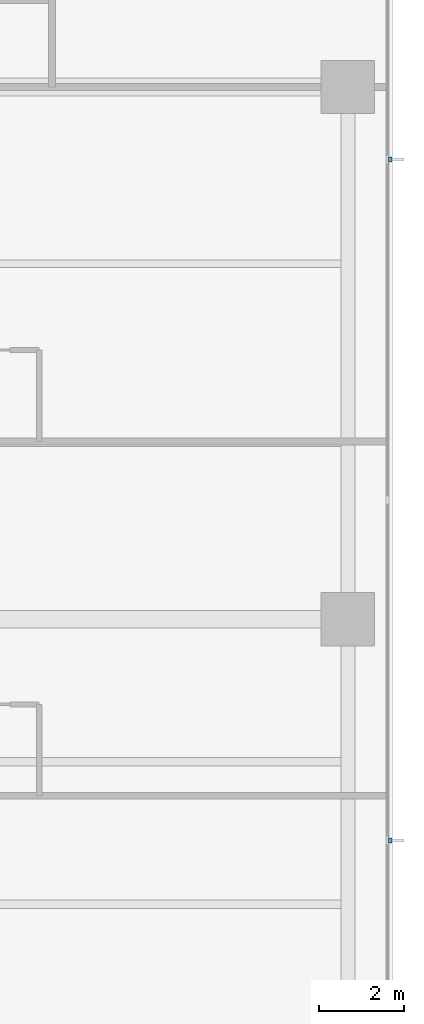
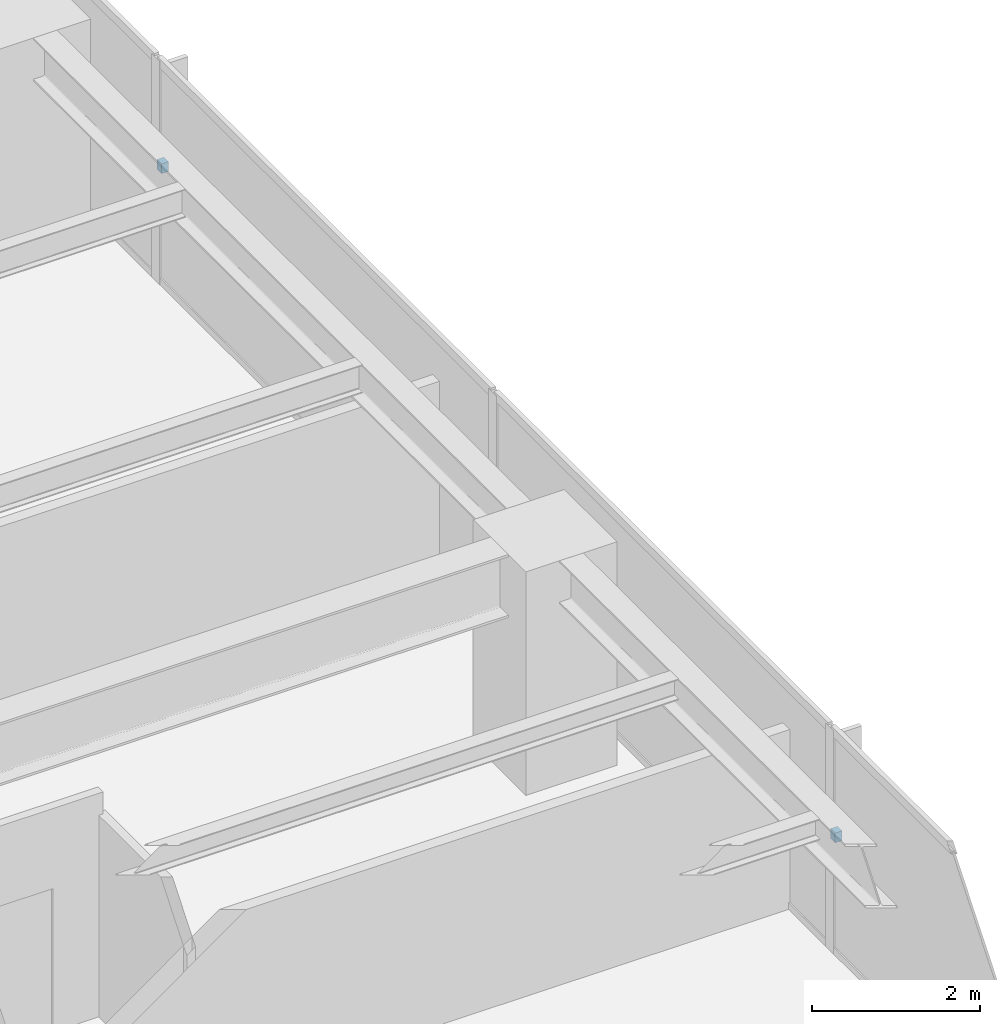
# One storey, part 13 of 16: 2 discrete accessories.
"""IFC4 building model written with IfcOpenShell, lengths in metres."""

from ifc_helpers import new_model, si_unit, direction, frame, origin, place, context, subcontext, project, spatial, polyline, outline, extrude, material, type_object, element, save


model = new_model("IFC4")

# Units and contexts
model_context = context("Model", 3, precision=1e-05, world=origin(), true_north=direction((0.0, 1.0)))
body_context = subcontext(model_context, "Body", "Model", "MODEL_VIEW")
ifc_project = project(units=[si_unit("LENGTHUNIT", "METRE"), si_unit("AREAUNIT", "SQUARE_METRE"), si_unit("VOLUMEUNIT", "CUBIC_METRE"), si_unit("PLANEANGLEUNIT", "RADIAN"), si_unit("MASSUNIT", "GRAM", prefix="KILO")], contexts=[model_context])

# Site, building, storey
site_placement = place(None, origin())
site = spatial("IfcSite", under=ifc_project, at=site_placement, CompositionType="ELEMENT")
building_placement = place(site_placement, origin())
building = spatial("IfcBuilding", under=site, at=building_placement, Name="Qalmaran Belvedere Hotel", CompositionType="ELEMENT")
storey_placement = place(building_placement, frame((0.0, 0.0, 123.199951171875)))
storey = spatial("IfcBuildingStorey", under=building, at=storey_placement, Name="L31", CompositionType="ELEMENT", Elevation=123.199951171875)

# Discrete accessories
ifc_material = material(Name="Stainless Steel 1.4401", Category="steel")
discrete_accessory_type = type_object("IfcDiscreteAccessoryType", Name="BRK-FIN-SS316", PredefinedType="BRACKET", material=ifc_material)
discrete_accessory_1_placement = place(storey_placement, frame((0.0, 0.0, 1.570068359375)))
element("IfcDiscreteAccessory", 1, at=discrete_accessory_1_placement, inside=storey, type_object=discrete_accessory_type, Name="L31 Fin Bracket 1", PredefinedType="BRACKET", context=body_context, shape_type="SweptSolid", body=[
    extrude(outline(polyline([(58.89501953125, 15.2451171875), (58.989990234375, 15.2451171875), (58.989990234375, 15.35498046875), (58.89501953125, 15.35498046875), (58.89501953125, 15.2451171875)])), origin(), (0.0, 0.0, 1.0), 0.139892578125),
])
discrete_accessory_2_placement = place(storey_placement, frame((0.0, 0.0, 1.570068359375)))
element("IfcDiscreteAccessory", 2, at=discrete_accessory_2_placement, inside=storey, type_object=discrete_accessory_type, Name="L31 Fin Bracket 3", PredefinedType="BRACKET", context=body_context, shape_type="SweptSolid", body=[
    extrude(outline(polyline([(58.89501953125, 31.2451171875), (58.989990234375, 31.2451171875), (58.989990234375, 31.35498046875), (58.89501953125, 31.35498046875), (58.89501953125, 31.2451171875)])), origin(), (0.0, 0.0, 1.0), 0.139892578125),
])

save(model, "model.ifc")
